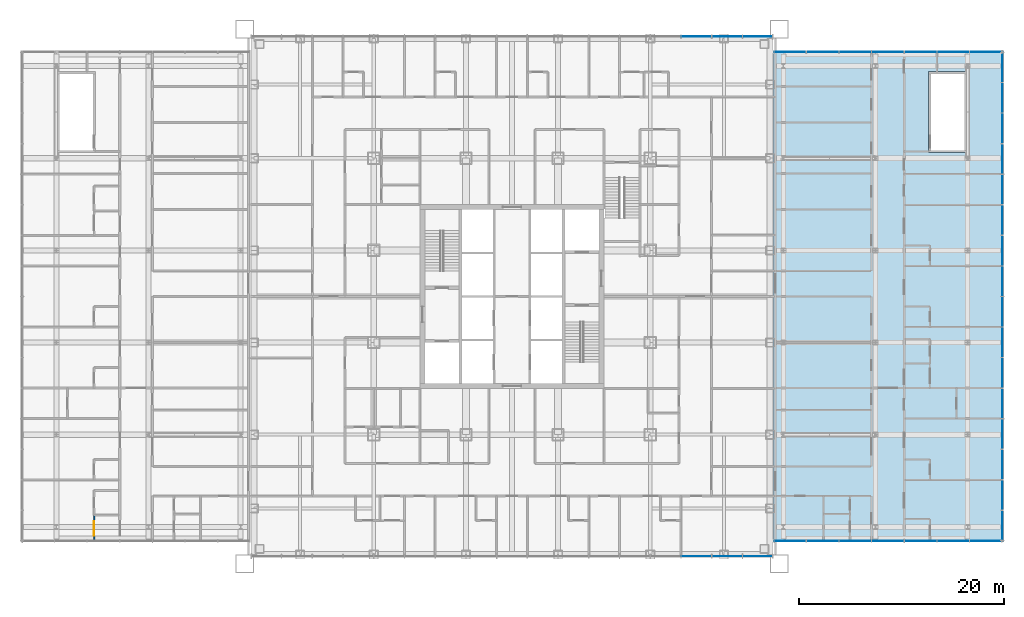
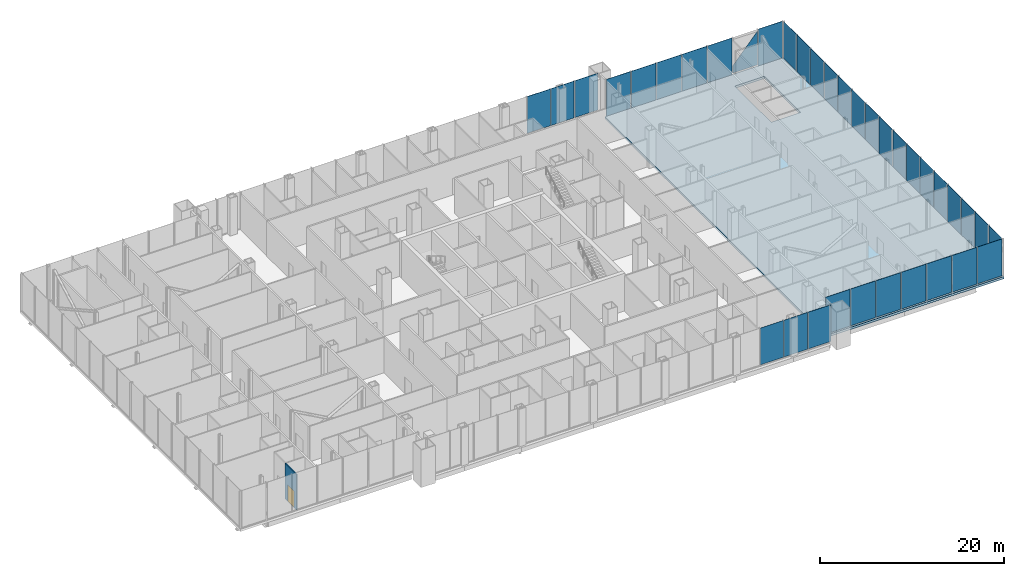
# One storey, part 14 of 28: 36 plates, 1 door, 1 slab, 1 wall, 1 opening, 5 elements without a shape of their own.
"""IFC4 building model written with IfcOpenShell, lengths in metres."""

from ifc_helpers import new_model, si_unit, direction, frame, frame_2d, origin, origin_2d, place, context, subcontext, project, spatial, polyline, rectangle, outline, extrude, material, layer, layer_set, type_object, element, fill, aggregate, save


model = new_model("IFC4")

# Units and contexts
model_context = context("Model", 3, precision=1e-05, world=origin(), true_north=direction((0.0, 1.0)))
body_context = subcontext(model_context, "Body", "Model", "MODEL_VIEW")
ifc_project = project(units=[si_unit("LENGTHUNIT", "METRE"), si_unit("AREAUNIT", "SQUARE_METRE"), si_unit("VOLUMEUNIT", "CUBIC_METRE"), si_unit("PLANEANGLEUNIT", "RADIAN"), si_unit("MASSUNIT", "GRAM", prefix="KILO")], contexts=[model_context])

# Site, building, storey
site_placement = place(None, origin())
site = spatial("IfcSite", under=ifc_project, at=site_placement, CompositionType="ELEMENT")
building_placement = place(site_placement, origin())
building = spatial("IfcBuilding", under=site, at=building_placement, Name="Malebo Sky Hospital", CompositionType="ELEMENT")
storey_placement = place(building_placement, frame((0.0, 0.0, 21.0)))
storey = spatial("IfcBuildingStorey", under=building, at=storey_placement, Name="L04", CompositionType="ELEMENT", Elevation=21.0)

# Slab
ifc_material_1 = material(Name="Concrete C40/50", Category="concrete")
ifc_layer_1 = layer(ifc_material_1, 0.300048828125)
ifc_layer_set_1 = layer_set([ifc_layer_1], Name="COMPOSITE FLOOR SLAB 300")
slab_type = type_object("IfcSlabType", Name="COMPOSITE FLOOR SLAB 300", PredefinedType="FLOOR", material=ifc_layer_set_1)
slab_placement = place(storey_placement, frame((0.0, 0.0, -0.300048828125)))
element("IfcSlab", 1, at=slab_placement, inside=storey, type_object=slab_type, Name="Floor slab L04 east wing", PredefinedType="FLOOR", context=body_context, shape_type="SweptSolid", body=[
    extrude(outline(polyline([(108.0, 38.0), (108.0, 86.0), (85.550048828125, 86.0), (85.550048828125, 38.0), (108.0, 38.0)]), holes=[polyline([(104.39990234375, 76.050048828125), (100.699951171875, 76.050048828125), (100.699951171875, 83.949951171875), (104.39990234375, 83.949951171875), (104.39990234375, 76.050048828125)])]), origin(), (0.0, 0.0, 1.0), 0.300048828125),
])

# Curtain wall, plates
ifc_material_2 = material(Name="Anodised aluminium, natural silver", Category="aluminium")
ifc_layer_2 = layer(ifc_material_2, 0.25)
ifc_layer_set_2 = layer_set([ifc_layer_2], Name="PODIUM ENTRANCE BAY CURTAIN WALL")
curtain_wall_type_1 = type_object("IfcCurtainWallType", Name="PODIUM ENTRANCE BAY CURTAIN WALL", PredefinedType="NOTDEFINED", material=ifc_layer_set_2)
curtain_wall_1_placement = place(storey_placement, origin())
curtain_wall_1 = element("IfcCurtainWall", 2, at=curtain_wall_1_placement, inside=storey, type_object=curtain_wall_type_1, Name="BAY curtain wall BS", PredefinedType="NOTDEFINED")
ifc_material_3 = material(Name="Clear low-iron double glazing", Category="glass")
ifc_layer_3 = layer(ifc_material_3, 0.031982421875)
ifc_layer_set_3 = layer_set([ifc_layer_3], Name="VISION PANEL CLEAR 32")
plate_type = type_object("IfcPlateType", Name="VISION PANEL CLEAR 32", PredefinedType="CURTAIN_PANEL", material=ifc_layer_set_3)
plate_1_placement = place(storey_placement, frame((78.0, 36.625, 0.10009765625), z_axis=(0.0, 0.0, 1.0), x_axis=(1.0, 0.0, 0.0)))
plate_1 = element("IfcPlate", 3, at=plate_1_placement, type_object=plate_type, Name="Panel 15", PredefinedType="CURTAIN_PANEL", context=body_context, shape_type="SweptSolid", body=[
    extrude(rectangle(XDim=2.925048828125, YDim=0.031982421875, at=origin_2d()), origin(), (0.0, 0.0, 1.0), 4.889892578125),
])
plate_2_placement = place(storey_placement, frame((81.0, 36.625, 0.10009765625), z_axis=(0.0, 0.0, 1.0), x_axis=(1.0, 0.0, 0.0)))
plate_2 = element("IfcPlate", 4, at=plate_2_placement, type_object=plate_type, Name="Panel 16", PredefinedType="CURTAIN_PANEL", context=body_context, shape_type="SweptSolid", body=[
    extrude(rectangle(XDim=2.925048828125, YDim=0.031982421875, at=origin_2d()), origin(), (0.0, 0.0, 1.0), 4.889892578125),
])
plate_3_placement = place(storey_placement, frame((83.981201171875, 36.625, 0.10009765625), z_axis=(0.0, 0.0, 1.0), x_axis=(1.0, 0.0, 0.0)))
plate_3 = element("IfcPlate", 5, at=plate_3_placement, type_object=plate_type, Name="Panel 17", PredefinedType="CURTAIN_PANEL", context=body_context, shape_type="SweptSolid", body=[
    extrude(rectangle(XDim=2.887451171875, YDim=0.031982421875, at=origin_2d()), origin(), (0.0, 0.0, 1.0), 4.889892578125),
])
aggregate(curtain_wall_1, [plate_1, plate_2, plate_3])

curtain_wall_2_placement = place(storey_placement, origin())
curtain_wall_2 = element("IfcCurtainWall", 6, at=curtain_wall_2_placement, inside=storey, type_object=curtain_wall_type_1, Name="BAY curtain wall BN", PredefinedType="NOTDEFINED")
plate_4_placement = place(storey_placement, frame((83.981201171875, 87.375, 0.10009765625), z_axis=(0.0, 0.0, 1.0), x_axis=(-1.0, 0.0, 0.0)))
plate_4 = element("IfcPlate", 7, at=plate_4_placement, type_object=plate_type, Name="Panel 1", PredefinedType="CURTAIN_PANEL", context=body_context, shape_type="SweptSolid", body=[
    extrude(rectangle(XDim=2.887451171875, YDim=0.031982421875, at=origin_2d()), origin(), (0.0, 0.0, 1.0), 4.889892578125),
])
plate_5_placement = place(storey_placement, frame((81.0, 87.375, 0.10009765625), z_axis=(0.0, 0.0, 1.0), x_axis=(-1.0, 0.0, 0.0)))
plate_5 = element("IfcPlate", 8, at=plate_5_placement, type_object=plate_type, Name="Panel 2", PredefinedType="CURTAIN_PANEL", context=body_context, shape_type="SweptSolid", body=[
    extrude(rectangle(XDim=2.925048828125, YDim=0.031982421875, at=origin_2d()), origin(), (0.0, 0.0, 1.0), 4.889892578125),
])
plate_6_placement = place(storey_placement, frame((78.0, 87.375, 0.10009765625), z_axis=(0.0, 0.0, 1.0), x_axis=(-1.0, 0.0, 0.0)))
plate_6 = element("IfcPlate", 9, at=plate_6_placement, type_object=plate_type, Name="Panel 3", PredefinedType="CURTAIN_PANEL", context=body_context, shape_type="SweptSolid", body=[
    extrude(rectangle(XDim=2.925048828125, YDim=0.031982421875, at=origin_2d()), origin(), (0.0, 0.0, 1.0), 4.889892578125),
])
aggregate(curtain_wall_2, [plate_4, plate_5, plate_6])

ifc_layer_4 = layer(ifc_material_2, 0.25)
ifc_layer_set_4 = layer_set([ifc_layer_4], Name="PODIUM CURTAIN WALL")
curtain_wall_type_2 = type_object("IfcCurtainWallType", Name="PODIUM CURTAIN WALL", PredefinedType="NOTDEFINED", material=ifc_layer_set_4)
curtain_wall_3_placement = place(storey_placement, origin())
curtain_wall_3 = element("IfcCurtainWall", 10, at=curtain_wall_3_placement, inside=storey, type_object=curtain_wall_type_2, Name="POD curtain wall ES", PredefinedType="NOTDEFINED")
plate_7_placement = place(storey_placement, frame((87.163330078125, 38.125, 0.10009765625), z_axis=(0.0, 0.0, 1.0), x_axis=(1.0, 0.0, 0.0)))
plate_7 = element("IfcPlate", 11, at=plate_7_placement, type_object=plate_type, Name="Panel 1", PredefinedType="CURTAIN_PANEL", context=body_context, shape_type="SweptSolid", body=[
    extrude(rectangle(XDim=3.076904296875, YDim=0.031982421875, at=origin_2d()), origin(), (0.0, 0.0, 1.0), 4.889892578125),
])
plate_8_placement = place(storey_placement, frame((90.333984375, 38.125, 0.10009765625), z_axis=(0.0, 0.0, 1.0), x_axis=(1.0, 0.0, 0.0)))
plate_8 = element("IfcPlate", 12, at=plate_8_placement, type_object=plate_type, Name="Panel 2", PredefinedType="CURTAIN_PANEL", context=body_context, shape_type="SweptSolid", body=[
    extrude(rectangle(XDim=3.1142578125, YDim=0.031982421875, at=origin_2d()), origin(), (0.0, 0.0, 1.0), 4.889892578125),
])
plate_9_placement = place(storey_placement, frame((93.523193359375, 38.125, 0.10009765625), z_axis=(0.0, 0.0, 1.0), x_axis=(1.0, 0.0, 0.0)))
plate_9 = element("IfcPlate", 13, at=plate_9_placement, type_object=plate_type, Name="Panel 3", PredefinedType="CURTAIN_PANEL", context=body_context, shape_type="SweptSolid", body=[
    extrude(rectangle(XDim=3.1142578125, YDim=0.031982421875, at=origin_2d()), origin(), (0.0, 0.0, 1.0), 4.889892578125),
])
plate_10_placement = place(storey_placement, frame((96.71240234375, 38.125, 0.10009765625), z_axis=(0.0, 0.0, 1.0), x_axis=(1.0, 0.0, 0.0)))
plate_10 = element("IfcPlate", 14, at=plate_10_placement, type_object=plate_type, Name="Panel 4", PredefinedType="CURTAIN_PANEL", context=body_context, shape_type="SweptSolid", body=[
    extrude(rectangle(XDim=3.1142578125, YDim=0.031982421875, at=origin_2d()), origin(), (0.0, 0.0, 1.0), 4.889892578125),
])
plate_11_placement = place(storey_placement, frame((99.90185546875, 38.125, 0.10009765625), z_axis=(0.0, 0.0, 1.0), x_axis=(1.0, 0.0, 0.0)))
plate_11 = element("IfcPlate", 15, at=plate_11_placement, type_object=plate_type, Name="Panel 5", PredefinedType="CURTAIN_PANEL", context=body_context, shape_type="SweptSolid", body=[
    extrude(rectangle(XDim=3.1142578125, YDim=0.031982421875, at=origin_2d()), origin(), (0.0, 0.0, 1.0), 4.889892578125),
])
plate_12_placement = place(storey_placement, frame((103.091064453125, 38.125, 0.10009765625), z_axis=(0.0, 0.0, 1.0), x_axis=(1.0, 0.0, 0.0)))
plate_12 = element("IfcPlate", 16, at=plate_12_placement, type_object=plate_type, Name="Panel 6", PredefinedType="CURTAIN_PANEL", context=body_context, shape_type="SweptSolid", body=[
    extrude(rectangle(XDim=3.1142578125, YDim=0.031982421875, at=origin_2d()), origin(), (0.0, 0.0, 1.0), 4.889892578125),
])
plate_13_placement = place(storey_placement, frame((106.26171875, 38.125, 0.10009765625), z_axis=(0.0, 0.0, 1.0), x_axis=(1.0, 0.0, 0.0)))
plate_13 = element("IfcPlate", 17, at=plate_13_placement, type_object=plate_type, Name="Panel 7", PredefinedType="CURTAIN_PANEL", context=body_context, shape_type="SweptSolid", body=[
    extrude(rectangle(XDim=3.076904296875, YDim=0.031982421875, at=origin_2d()), origin(), (0.0, 0.0, 1.0), 4.889892578125),
])
aggregate(curtain_wall_3, [plate_7, plate_8, plate_9, plate_10, plate_11, plate_12, plate_13])

curtain_wall_4_placement = place(storey_placement, origin())
curtain_wall_4 = element("IfcCurtainWall", 18, at=curtain_wall_4_placement, inside=storey, type_object=curtain_wall_type_2, Name="POD curtain wall EE", PredefinedType="NOTDEFINED")
plate_14_placement = place(storey_placement, frame((107.875, 39.635986328125, 0.10009765625), z_axis=(0.0, 0.0, 1.0), x_axis=(0.0, 1.0, 0.0)))
plate_14 = element("IfcPlate", 19, at=plate_14_placement, type_object=plate_type, Name="Panel 1", PredefinedType="CURTAIN_PANEL", context=body_context, shape_type="SweptSolid", body=[
    extrude(rectangle(XDim=2.871826171875, YDim=0.031982421875, at=origin_2d()), origin(), (0.0, 0.0, 1.0), 4.889892578125),
])
plate_15_placement = place(storey_placement, frame((107.875, 42.6015625, 0.10009765625), z_axis=(0.0, 0.0, 1.0), x_axis=(0.0, 1.0, 0.0)))
plate_15 = element("IfcPlate", 20, at=plate_15_placement, type_object=plate_type, Name="Panel 2", PredefinedType="CURTAIN_PANEL", context=body_context, shape_type="SweptSolid", body=[
    extrude(rectangle(XDim=2.909423828125, YDim=0.031982421875, at=origin_2d()), origin(), (0.0, 0.0, 1.0), 4.889892578125),
])
plate_16_placement = place(storey_placement, frame((107.875, 45.5859375, 0.10009765625), z_axis=(0.0, 0.0, 1.0), x_axis=(0.0, 1.0, 0.0)))
plate_16 = element("IfcPlate", 21, at=plate_16_placement, type_object=plate_type, Name="Panel 3", PredefinedType="CURTAIN_PANEL", context=body_context, shape_type="SweptSolid", body=[
    extrude(rectangle(XDim=2.9091796875, YDim=0.031982421875, at=origin_2d()), origin(), (0.0, 0.0, 1.0), 4.889892578125),
])
plate_17_placement = place(storey_placement, frame((107.875, 48.5703125, 0.10009765625), z_axis=(0.0, 0.0, 1.0), x_axis=(0.0, 1.0, 0.0)))
plate_17 = element("IfcPlate", 22, at=plate_17_placement, type_object=plate_type, Name="Panel 4", PredefinedType="CURTAIN_PANEL", context=body_context, shape_type="SweptSolid", body=[
    extrude(rectangle(XDim=2.909423828125, YDim=0.031982421875, at=origin_2d()), origin(), (0.0, 0.0, 1.0), 4.889892578125),
])
plate_18_placement = place(storey_placement, frame((107.875, 51.5546875, 0.10009765625), z_axis=(0.0, 0.0, 1.0), x_axis=(0.0, 1.0, 0.0)))
plate_18 = element("IfcPlate", 23, at=plate_18_placement, type_object=plate_type, Name="Panel 5", PredefinedType="CURTAIN_PANEL", context=body_context, shape_type="SweptSolid", body=[
    extrude(rectangle(XDim=2.909423828125, YDim=0.031982421875, at=origin_2d()), origin(), (0.0, 0.0, 1.0), 4.889892578125),
])
plate_19_placement = place(storey_placement, frame((107.875, 54.5390625, 0.10009765625), z_axis=(0.0, 0.0, 1.0), x_axis=(0.0, 1.0, 0.0)))
plate_19 = element("IfcPlate", 24, at=plate_19_placement, type_object=plate_type, Name="Panel 6", PredefinedType="CURTAIN_PANEL", context=body_context, shape_type="SweptSolid", body=[
    extrude(rectangle(XDim=2.9091796875, YDim=0.031982421875, at=origin_2d()), origin(), (0.0, 0.0, 1.0), 4.889892578125),
])
plate_20_placement = place(storey_placement, frame((107.875, 57.5234375, 0.10009765625), z_axis=(0.0, 0.0, 1.0), x_axis=(0.0, 1.0, 0.0)))
plate_20 = element("IfcPlate", 25, at=plate_20_placement, type_object=plate_type, Name="Panel 7", PredefinedType="CURTAIN_PANEL", context=body_context, shape_type="SweptSolid", body=[
    extrude(rectangle(XDim=2.909423828125, YDim=0.031982421875, at=origin_2d()), origin(), (0.0, 0.0, 1.0), 4.889892578125),
])
plate_21_placement = place(storey_placement, frame((107.875, 60.5078125, 0.10009765625), z_axis=(0.0, 0.0, 1.0), x_axis=(0.0, 1.0, 0.0)))
plate_21 = element("IfcPlate", 26, at=plate_21_placement, type_object=plate_type, Name="Panel 8", PredefinedType="CURTAIN_PANEL", context=body_context, shape_type="SweptSolid", body=[
    extrude(rectangle(XDim=2.909423828125, YDim=0.031982421875, at=origin_2d()), origin(), (0.0, 0.0, 1.0), 4.889892578125),
])
plate_22_placement = place(storey_placement, frame((107.875, 63.4921875, 0.10009765625), z_axis=(0.0, 0.0, 1.0), x_axis=(0.0, 1.0, 0.0)))
plate_22 = element("IfcPlate", 27, at=plate_22_placement, type_object=plate_type, Name="Panel 9", PredefinedType="CURTAIN_PANEL", context=body_context, shape_type="SweptSolid", body=[
    extrude(rectangle(XDim=2.909423828125, YDim=0.031982421875, at=origin_2d()), origin(), (0.0, 0.0, 1.0), 4.889892578125),
])
plate_23_placement = place(storey_placement, frame((107.875, 66.4765625, 0.10009765625), z_axis=(0.0, 0.0, 1.0), x_axis=(0.0, 1.0, 0.0)))
plate_23 = element("IfcPlate", 28, at=plate_23_placement, type_object=plate_type, Name="Panel 10", PredefinedType="CURTAIN_PANEL", context=body_context, shape_type="SweptSolid", body=[
    extrude(rectangle(XDim=2.909423828125, YDim=0.031982421875, at=origin_2d()), origin(), (0.0, 0.0, 1.0), 4.889892578125),
])
plate_24_placement = place(storey_placement, frame((107.875, 69.4609375, 0.10009765625), z_axis=(0.0, 0.0, 1.0), x_axis=(0.0, 1.0, 0.0)))
plate_24 = element("IfcPlate", 29, at=plate_24_placement, type_object=plate_type, Name="Panel 11", PredefinedType="CURTAIN_PANEL", context=body_context, shape_type="SweptSolid", body=[
    extrude(rectangle(XDim=2.9091796875, YDim=0.031982421875, at=origin_2d()), origin(), (0.0, 0.0, 1.0), 4.889892578125),
])
plate_25_placement = place(storey_placement, frame((107.875, 72.4453125, 0.10009765625), z_axis=(0.0, 0.0, 1.0), x_axis=(0.0, 1.0, 0.0)))
plate_25 = element("IfcPlate", 30, at=plate_25_placement, type_object=plate_type, Name="Panel 12", PredefinedType="CURTAIN_PANEL", context=body_context, shape_type="SweptSolid", body=[
    extrude(rectangle(XDim=2.909423828125, YDim=0.031982421875, at=origin_2d()), origin(), (0.0, 0.0, 1.0), 4.889892578125),
])
plate_26_placement = place(storey_placement, frame((107.875, 75.4296875, 0.10009765625), z_axis=(0.0, 0.0, 1.0), x_axis=(0.0, 1.0, 0.0)))
plate_26 = element("IfcPlate", 31, at=plate_26_placement, type_object=plate_type, Name="Panel 13", PredefinedType="CURTAIN_PANEL", context=body_context, shape_type="SweptSolid", body=[
    extrude(rectangle(XDim=2.909423828125, YDim=0.031982421875, at=origin_2d()), origin(), (0.0, 0.0, 1.0), 4.889892578125),
])
plate_27_placement = place(storey_placement, frame((107.875, 78.4140625, 0.10009765625), z_axis=(0.0, 0.0, 1.0), x_axis=(0.0, 1.0, 0.0)))
plate_27 = element("IfcPlate", 32, at=plate_27_placement, type_object=plate_type, Name="Panel 14", PredefinedType="CURTAIN_PANEL", context=body_context, shape_type="SweptSolid", body=[
    extrude(rectangle(XDim=2.9091796875, YDim=0.031982421875, at=origin_2d()), origin(), (0.0, 0.0, 1.0), 4.889892578125),
])
plate_28_placement = place(storey_placement, frame((107.875, 81.3984375, 0.10009765625), z_axis=(0.0, 0.0, 1.0), x_axis=(0.0, 1.0, 0.0)))
plate_28 = element("IfcPlate", 33, at=plate_28_placement, type_object=plate_type, Name="Panel 15", PredefinedType="CURTAIN_PANEL", context=body_context, shape_type="SweptSolid", body=[
    extrude(rectangle(XDim=2.909423828125, YDim=0.031982421875, at=origin_2d()), origin(), (0.0, 0.0, 1.0), 4.889892578125),
])
plate_29_placement = place(storey_placement, frame((107.875, 84.364013671875, 0.10009765625), z_axis=(0.0, 0.0, 1.0), x_axis=(0.0, 1.0, 0.0)))
plate_29 = element("IfcPlate", 34, at=plate_29_placement, type_object=plate_type, Name="Panel 16", PredefinedType="CURTAIN_PANEL", context=body_context, shape_type="SweptSolid", body=[
    extrude(rectangle(XDim=2.871826171875, YDim=0.031982421875, at=origin_2d()), origin(), (0.0, 0.0, 1.0), 4.889892578125),
])
aggregate(curtain_wall_4, [plate_14, plate_15, plate_16, plate_17, plate_18, plate_19, plate_20, plate_21, plate_22, plate_23, plate_24, plate_25, plate_26, plate_27, plate_28, plate_29])

curtain_wall_5_placement = place(storey_placement, origin())
curtain_wall_5 = element("IfcCurtainWall", 35, at=curtain_wall_5_placement, inside=storey, type_object=curtain_wall_type_2, Name="POD curtain wall EN", PredefinedType="NOTDEFINED")
plate_30_placement = place(storey_placement, frame((106.26171875, 85.875, 0.10009765625), z_axis=(0.0, 0.0, 1.0), x_axis=(-1.0, 0.0, 0.0)))
plate_30 = element("IfcPlate", 36, at=plate_30_placement, type_object=plate_type, Name="Panel 1", PredefinedType="CURTAIN_PANEL", context=body_context, shape_type="SweptSolid", body=[
    extrude(rectangle(XDim=3.076904296875, YDim=0.031982421875, at=origin_2d()), origin(), (0.0, 0.0, 1.0), 4.889892578125),
])
plate_31_placement = place(storey_placement, frame((103.091064453125, 85.875, 0.2802734375), z_axis=(0.0, 0.0, 1.0), x_axis=(-1.0, 0.0, 0.0)))
plate_31 = element("IfcPlate", 37, at=plate_31_placement, type_object=plate_type, Name="Panel 2", PredefinedType="CURTAIN_PANEL", context=body_context, shape_type="SweptSolid", body=[
    extrude(outline(polyline([(-1.55712890625, 0.0), (1.55712890625, 0.0), (1.55712890625, 0.95654296875), (-1.55712890625, 4.51904296875), (-1.55712890625, 0.0)])), frame((0.0, 0.01611328125, 0.0), z_axis=(0.0, -1.0, 0.0), x_axis=(1.0, 0.0, 0.0)), (0.0, 0.0, 1.0), 0.031982421875),
])
plate_32_placement = place(storey_placement, frame((99.90185546875, 85.875, 0.10009765625), z_axis=(0.0, 0.0, 1.0), x_axis=(-1.0, 0.0, 0.0)))
plate_32 = element("IfcPlate", 38, at=plate_32_placement, type_object=plate_type, Name="Panel 3", PredefinedType="CURTAIN_PANEL", context=body_context, shape_type="SweptSolid", body=[
    extrude(rectangle(XDim=3.1142578125, YDim=0.031982421875, at=origin_2d()), origin(), (0.0, 0.0, 1.0), 4.889892578125),
])
plate_33_placement = place(storey_placement, frame((96.71240234375, 85.875, 0.10009765625), z_axis=(0.0, 0.0, 1.0), x_axis=(-1.0, 0.0, 0.0)))
plate_33 = element("IfcPlate", 39, at=plate_33_placement, type_object=plate_type, Name="Panel 4", PredefinedType="CURTAIN_PANEL", context=body_context, shape_type="SweptSolid", body=[
    extrude(rectangle(XDim=3.1142578125, YDim=0.031982421875, at=origin_2d()), origin(), (0.0, 0.0, 1.0), 4.889892578125),
])
plate_34_placement = place(storey_placement, frame((93.523193359375, 85.875, 0.10009765625), z_axis=(0.0, 0.0, 1.0), x_axis=(-1.0, 0.0, 0.0)))
plate_34 = element("IfcPlate", 40, at=plate_34_placement, type_object=plate_type, Name="Panel 5", PredefinedType="CURTAIN_PANEL", context=body_context, shape_type="SweptSolid", body=[
    extrude(rectangle(XDim=3.1142578125, YDim=0.031982421875, at=origin_2d()), origin(), (0.0, 0.0, 1.0), 4.889892578125),
])
plate_35_placement = place(storey_placement, frame((90.333984375, 85.875, 0.10009765625), z_axis=(0.0, 0.0, 1.0), x_axis=(-1.0, 0.0, 0.0)))
plate_35 = element("IfcPlate", 41, at=plate_35_placement, type_object=plate_type, Name="Panel 6", PredefinedType="CURTAIN_PANEL", context=body_context, shape_type="SweptSolid", body=[
    extrude(rectangle(XDim=3.1142578125, YDim=0.031982421875, at=origin_2d()), origin(), (0.0, 0.0, 1.0), 4.889892578125),
])
plate_36_placement = place(storey_placement, frame((87.163330078125, 85.875, 0.10009765625), z_axis=(0.0, 0.0, 1.0), x_axis=(-1.0, 0.0, 0.0)))
plate_36 = element("IfcPlate", 42, at=plate_36_placement, type_object=plate_type, Name="Panel 7", PredefinedType="CURTAIN_PANEL", context=body_context, shape_type="SweptSolid", body=[
    extrude(rectangle(XDim=3.076904296875, YDim=0.031982421875, at=origin_2d()), origin(), (0.0, 0.0, 1.0), 4.889892578125),
])
aggregate(curtain_wall_5, [plate_30, plate_31, plate_32, plate_33, plate_34, plate_35, plate_36])

# Wall, opening, door
ifc_material_4 = material(Name="Sealed gypsum board on steel studs, taped to the slab", Category="steel")
ifc_layer_5 = layer(ifc_material_4, 0.14990234375)
ifc_layer_set_5 = layer_set([ifc_layer_5], Name="SEALED ISOLATION PARTITION 150")
wall_type = type_object("IfcWallType", Name="SEALED ISOLATION PARTITION 150", PredefinedType="PARTITIONING", material=ifc_layer_set_5)
wall_placement = place(storey_placement, frame((19.193115234375, 38.14990234375, 0.0), z_axis=(0.0, 0.0, 1.0), x_axis=(0.0, 1.0, 0.0)))
wall = element("IfcWall", 43, at=wall_placement, inside=storey, type_object=wall_type, Name="Sealed Isolation Partition 150 WOX00F", PredefinedType="PARTITIONING", context=body_context, shape_type="SweptSolid", body=[
    extrude(rectangle(XDim=2.5, YDim=0.14990234375, at=frame_2d((1.25, 0.0))), origin(), (0.0, 0.0, 1.0), 4.699951171875),
])
opening_placement = place(wall_placement, frame((0.5, 0.0, 0.0)))
opening = element("IfcOpeningElement", 44, at=opening_placement, cuts=wall, Name="Opening D29", PredefinedType="OPENING", context=body_context, shape_type="SweptSolid", body=[
    extrude(rectangle(XDim=1.39990234375, YDim=2.199951171875, at=frame_2d((0.699951171875, 1.10009765625))), frame((0.0, 0.0849609375, 0.0), z_axis=(0.0, -1.0, 0.0), x_axis=(1.0, 0.0, 0.0)), (0.0, 0.0, 1.0), 0.169921875),
])
ifc_material_5 = material(Name="Hardwood-faced door leaf with perimeter seals in steel frame", Category="steel")
door_type = type_object("IfcDoorType", Name="SEALED ISOLATION BED DOOR PAIR 1400", OperationType="DOUBLE_DOOR_SINGLE_SWING", PredefinedType="DOOR", material=ifc_material_5)
door_placement = place(opening_placement, origin())
door = element("IfcDoor", 45, at=door_placement, inside=storey, type_object=door_type, Name="Isolation room door", OperationType="DOUBLE_DOOR_SINGLE_SWING", OverallHeight=2.199951171875, OverallWidth=1.39990234375, PredefinedType="DOOR", context=body_context, shape_type="SweptSolid", body=[
    extrude(rectangle(XDim=1.39990234375, YDim=2.199951171875, at=frame_2d((0.699951171875, 1.10009765625))), frame((0.0, 0.02490234375, 0.0), z_axis=(0.0, -1.0, 0.0), x_axis=(1.0, 0.0, 0.0)), (0.0, 0.0, 1.0), 0.050048828125),
])
fill(opening, door)

save(model, "model.ifc")
